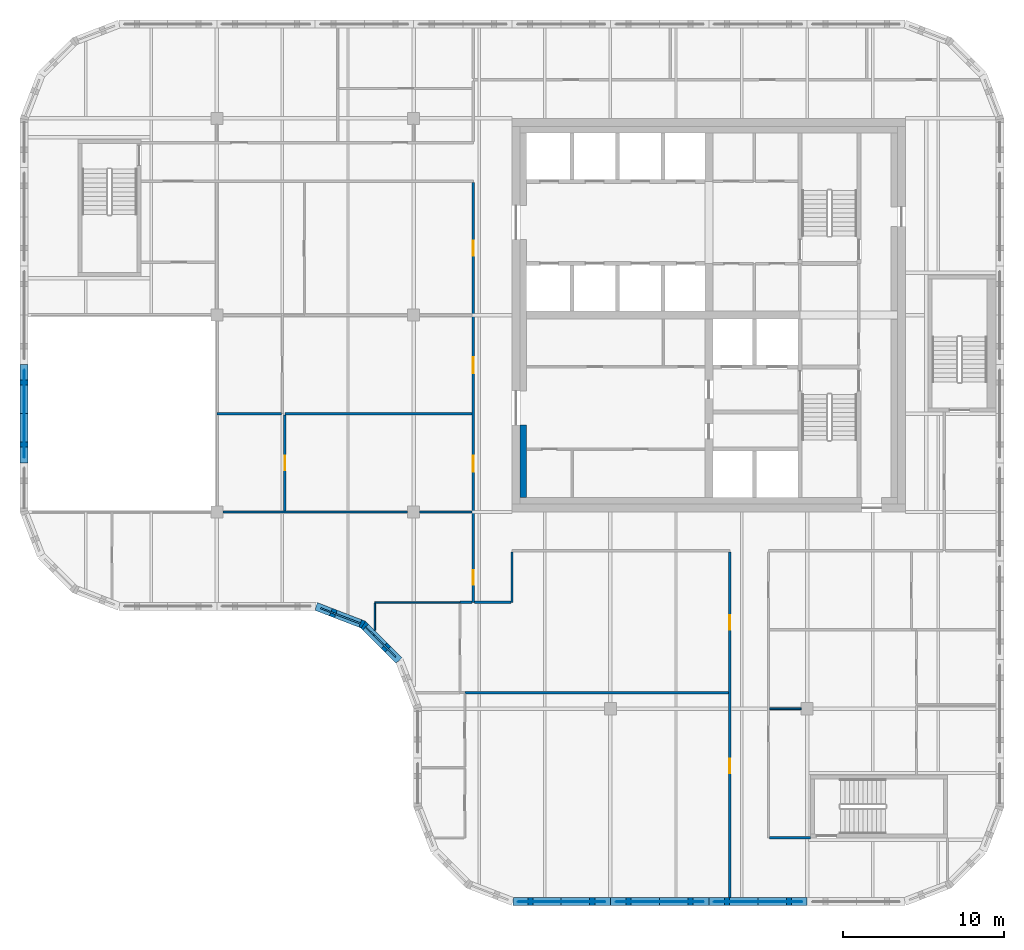
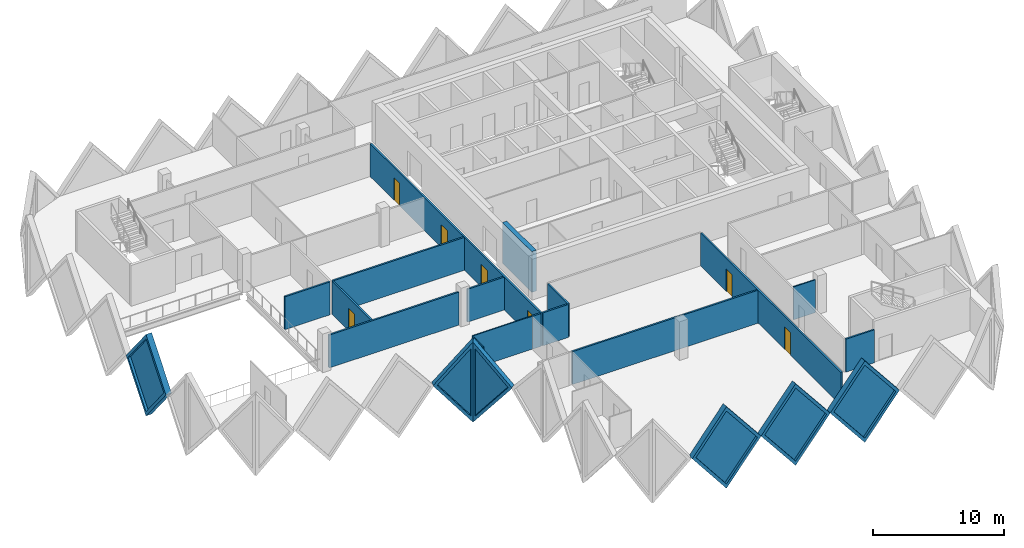
# One storey, part 4 of 12: 22 walls, 7 doors, 6 plates, 13 openings.
"""IFC4 building model written with IfcOpenShell, lengths in metres."""

from ifc_helpers import new_model, si_unit, direction, frame, frame_2d, origin, place, context, subcontext, project, spatial, polyline, rectangle, outline, extrude, faceted_brep, source, transform, mapped, material, layer, layer_set, type_object, element, fill, save


model = new_model("IFC4")

# Units and contexts
model_context = context("Model", 3, precision=1e-05, world=origin(), true_north=direction((0.0, 1.0)))
body_context = subcontext(model_context, "Body", "Model", "MODEL_VIEW")
ifc_project = project(units=[si_unit("LENGTHUNIT", "METRE"), si_unit("AREAUNIT", "SQUARE_METRE"), si_unit("VOLUMEUNIT", "CUBIC_METRE"), si_unit("PLANEANGLEUNIT", "RADIAN"), si_unit("MASSUNIT", "GRAM", prefix="KILO")], contexts=[model_context])

# Site, building, storey
site_placement = place(None, origin())
site = spatial("IfcSite", under=ifc_project, at=site_placement, CompositionType="ELEMENT")
building_placement = place(site_placement, origin())
building = spatial("IfcBuilding", under=site, at=building_placement, Name="Tessera Gate Towers", CompositionType="ELEMENT")
storey_placement = place(building_placement, frame((0.0, 0.0, 209.300048828125)))
storey = spatial("IfcBuildingStorey", under=building, at=storey_placement, Name="L52", CompositionType="ELEMENT", Elevation=209.300048828125)

# Wall
ifc_material_1 = material(Name="Concrete C50/60", Category="concrete")
ifc_layer_1 = layer(ifc_material_1, 0.39990234375)
ifc_layer_set_1 = layer_set([ifc_layer_1], Name="CORE WALL THICKENING 400")
wall_type_1 = type_object("IfcWallType", Name="CORE WALL THICKENING 400", PredefinedType="SOLIDWALL", material=ifc_layer_set_1)
wall_1_placement = place(storey_placement, frame((31.199951171875, 25.300048828125, 0.0), z_axis=(0.0, 0.0, 1.0), x_axis=(0.0, 1.0, 0.0)))
element("IfcWall", 1, at=wall_1_placement, inside=storey, type_object=wall_type_1, Name="Core wall thickening W L52", PredefinedType="SOLIDWALL", context=body_context, shape_type="SweptSolid", body=[
    extrude(rectangle(XDim=4.5, YDim=0.39990234375, at=frame_2d((2.25, 0.0))), origin(), (0.0, 0.0, 1.0), 3.800048828125),
])

# Wall, openings, doors
ifc_material_2 = material(Name="Gypsum board on steel studs, mineral wool", Category="steel")
ifc_layer_2 = layer(ifc_material_2, 0.14990234375)
ifc_layer_set_2 = layer_set([ifc_layer_2], Name="CORRIDOR WALL 150")
wall_type_2 = type_object("IfcWallType", Name="CORRIDOR WALL 150", PredefinedType="PARTITIONING", material=ifc_layer_set_2)
wall_2_placement = place(storey_placement, frame((44.0, 0.5, 0.0), z_axis=(0.0, 0.0, 1.0), x_axis=(0.0, 1.0, 0.0)))
wall_2 = element("IfcWall", 2, at=wall_2_placement, inside=storey, type_object=wall_type_2, Name="T1-L52-PW-001", PredefinedType="PARTITIONING", context=body_context, shape_type="SweptSolid", body=[
    extrude(rectangle(XDim=21.424072265625, YDim=0.14990234375, at=frame_2d((10.7119140625, 0.0))), origin(), (0.0, 0.0, 1.0), 3.06689453125),
])
shared_shape_1 = source(origin(), body_context, "Body", "SweptSolid", [
    extrude(rectangle(XDim=0.89990234375, YDim=2.10009765625, at=frame_2d((0.449951171875, 1.050048828125))), frame((0.0, 0.0849609375, 0.0), z_axis=(0.0, -1.0, 0.0), x_axis=(1.0, 0.0, 0.0)), (0.0, 0.0, 1.0), 0.169921875),
])
opening_1_placement = place(wall_2_placement, frame((16.60107421875, 0.0, 0.0)))
opening_1 = element("IfcOpeningElement", 3, at=opening_1_placement, cuts=wall_2, Name="Opening D890FD60-A19-07", PredefinedType="OPENING", context=body_context, shape_type="MappedRepresentation", body=[
    mapped(shared_shape_1, transform((0.0, 0.0, 0.0), scale=1.0)),
])
opening_2_placement = place(wall_2_placement, frame((7.699951171875, 0.0, 0.0)))
opening_2 = element("IfcOpeningElement", 4, at=opening_2_placement, cuts=wall_2, Name="Opening D890FD60-A19-08", PredefinedType="OPENING", context=body_context, shape_type="MappedRepresentation", body=[
    mapped(shared_shape_1, transform((0.0, 0.0, 0.0), scale=1.0)),
])
ifc_material_3 = material(Name="Timber door leaf in steel frame", Category="steel")
door_type_1 = type_object("IfcDoorType", Name="CORRIDOR DOOR 900 FD60", OperationType="NOTDEFINED", PredefinedType="DOOR", material=ifc_material_3)
shared_shape_2 = source(origin(), body_context, "Body", "SweptSolid", [
    extrude(rectangle(XDim=0.89990234375, YDim=2.10009765625, at=frame_2d((0.449951171875, 1.050048828125))), frame((0.0, 0.02490234375, 0.0), z_axis=(0.0, -1.0, 0.0), x_axis=(1.0, 0.0, 0.0)), (0.0, 0.0, 1.0), 0.050048828125),
])
door_1_placement = place(opening_1_placement, origin())
door_1 = element("IfcDoor", 5, at=door_1_placement, inside=storey, type_object=door_type_1, Name="T1-L52-PD-022", OperationType="SINGLE_SWING_LEFT", OverallHeight=2.10009765625, OverallWidth=0.89990234375, PredefinedType="DOOR", context=body_context, shape_type="MappedRepresentation", body=[
    mapped(shared_shape_2, transform((0.0, 0.0, 0.0), scale=1.0)),
])
fill(opening_1, door_1)
door_2_placement = place(opening_2_placement, origin())
door_2 = element("IfcDoor", 6, at=door_2_placement, inside=storey, type_object=door_type_1, Name="T1-L52-PD-023", OperationType="SINGLE_SWING_LEFT", OverallHeight=2.10009765625, OverallWidth=0.89990234375, PredefinedType="DOOR", context=body_context, shape_type="MappedRepresentation", body=[
    mapped(shared_shape_2, transform((0.0, 0.0, 0.0), scale=1.0)),
])
fill(opening_2, door_2)

# Wall
wall_3_placement = place(storey_placement, frame((46.47607421875, 4.199951171875, 0.0), z_axis=(0.0, 0.0, 1.0), x_axis=(1.0, 0.0, 0.0)))
element("IfcWall", 7, at=wall_3_placement, inside=storey, type_object=wall_type_2, Name="T1-L52-PW-006", PredefinedType="PARTITIONING", context=body_context, shape_type="SweptSolid", body=[
    extrude(rectangle(XDim=2.52392578125, YDim=0.14990234375, at=frame_2d((1.261962890625, 0.0))), origin(), (0.0, 0.0, 1.0), 3.06689453125),
])

# Wall, openings, doors
wall_4_placement = place(storey_placement, frame((28.10009765625, 18.800048828125, 0.0), z_axis=(0.0, 0.0, 1.0), x_axis=(0.0, 1.0, 0.0)))
wall_4 = element("IfcWall", 8, at=wall_4_placement, inside=storey, type_object=wall_type_2, Name="T1-L52-PW-024", PredefinedType="PARTITIONING", context=body_context, shape_type="SweptSolid", body=[
    extrude(rectangle(XDim=26.02392578125, YDim=0.14990234375, at=frame_2d((13.011962890625, 0.0))), origin(), (0.0, 0.0, 1.0), 3.06689453125),
])
opening_3_placement = place(wall_4_placement, frame((1.10009765625, 0.0, 0.0)))
opening_3 = element("IfcOpeningElement", 9, at=opening_3_placement, cuts=wall_4, Name="Opening D890FD60-A19-01", PredefinedType="OPENING", context=body_context, shape_type="MappedRepresentation", body=[
    mapped(shared_shape_1, transform((0.0, 0.0, 0.0), scale=1.0)),
])
shared_shape_3 = source(origin(), body_context, "Body", "SweptSolid", [
    extrude(rectangle(XDim=1.0, YDim=2.10009765625, at=frame_2d((0.5, 1.050048828125))), frame((0.0, 0.0849609375, 0.0), z_axis=(0.0, -1.0, 0.0), x_axis=(1.0, 0.0, 0.0)), (0.0, 0.0, 1.0), 0.169921875),
])
opening_4_placement = place(wall_4_placement, frame((14.200927734375, 0.0, 0.0)))
opening_4 = element("IfcOpeningElement", 10, at=opening_4_placement, cuts=wall_4, Name="Opening D2100FD60-A19-01", PredefinedType="OPENING", context=body_context, shape_type="MappedRepresentation", body=[
    mapped(shared_shape_3, transform((0.0, 0.0, 0.0), scale=1.0)),
])
opening_5_placement = place(wall_4_placement, frame((8.10009765625, 0.0, 0.0)))
opening_5 = element("IfcOpeningElement", 11, at=opening_5_placement, cuts=wall_4, Name="Opening D2100FD60-A19-02", PredefinedType="OPENING", context=body_context, shape_type="MappedRepresentation", body=[
    mapped(shared_shape_3, transform((0.0, 0.0, 0.0), scale=1.0)),
])
opening_6_placement = place(wall_4_placement, frame((21.5, 0.0, 0.0)))
opening_6 = element("IfcOpeningElement", 12, at=opening_6_placement, cuts=wall_4, Name="Opening D890FD60-A19-04", PredefinedType="OPENING", context=body_context, shape_type="MappedRepresentation", body=[
    mapped(shared_shape_1, transform((0.0, 0.0, 0.0), scale=1.0)),
])
door_3_placement = place(opening_3_placement, origin())
door_3 = element("IfcDoor", 13, at=door_3_placement, inside=storey, type_object=door_type_1, Name="T1-L52-PD-001", OperationType="SINGLE_SWING_LEFT", OverallHeight=2.10009765625, OverallWidth=0.89990234375, PredefinedType="DOOR", context=body_context, shape_type="MappedRepresentation", body=[
    mapped(shared_shape_2, transform((0.0, 0.0, 0.0), scale=1.0)),
])
fill(opening_3, door_3)
door_4_placement = place(opening_6_placement, origin())
door_4 = element("IfcDoor", 14, at=door_4_placement, inside=storey, type_object=door_type_1, Name="T1-L52-PD-018", OperationType="SINGLE_SWING_LEFT", OverallHeight=2.10009765625, OverallWidth=0.89990234375, PredefinedType="DOOR", context=body_context, shape_type="MappedRepresentation", body=[
    mapped(shared_shape_2, transform((0.0, 0.0, 0.0), scale=1.0)),
])
fill(opening_6, door_4)
ifc_material_4 = material(Name="Timber door leaf in steel frame", Category="steel")
door_type_2 = type_object("IfcDoorType", Name="TENANCY ENTRANCE DOOR 1000 FD60", OperationType="NOTDEFINED", PredefinedType="DOOR", material=ifc_material_4)
shared_shape_4 = source(origin(), body_context, "Body", "SweptSolid", [
    extrude(rectangle(XDim=1.0, YDim=2.10009765625, at=frame_2d((0.5, 1.050048828125))), frame((0.0, 0.02490234375, 0.0), z_axis=(0.0, -1.0, 0.0), x_axis=(1.0, 0.0, 0.0)), (0.0, 0.0, 1.0), 0.050048828125),
])
door_5_placement = place(opening_4_placement, origin())
door_5 = element("IfcDoor", 15, at=door_5_placement, inside=storey, type_object=door_type_2, Name="T1-L52-PD-012", OperationType="SINGLE_SWING_LEFT", OverallHeight=2.10009765625, OverallWidth=1.0, PredefinedType="DOOR", context=body_context, shape_type="MappedRepresentation", body=[
    mapped(shared_shape_4, transform((0.0, 0.0, 0.0), scale=1.0)),
])
fill(opening_4, door_5)
door_6_placement = place(opening_5_placement, origin())
door_6 = element("IfcDoor", 16, at=door_6_placement, inside=storey, type_object=door_type_2, Name="T1-L52-PD-013", OperationType="SINGLE_SWING_LEFT", OverallHeight=2.10009765625, OverallWidth=1.0, PredefinedType="DOOR", context=body_context, shape_type="MappedRepresentation", body=[
    mapped(shared_shape_4, transform((0.0, 0.0, 0.0), scale=1.0)),
])
fill(opening_5, door_6)

# Walls
wall_5_placement = place(storey_placement, frame((28.176025390625, 18.800048828125, 0.0), z_axis=(0.0, 0.0, 1.0), x_axis=(1.0, 0.0, 0.0)))
element("IfcWall", 17, at=wall_5_placement, inside=storey, type_object=wall_type_2, Name="T1-L52-PW-025", PredefinedType="PARTITIONING", context=body_context, shape_type="SweptSolid", body=[
    extrude(rectangle(XDim=2.248046875, YDim=0.14990234375, at=frame_2d((1.1240234375, 0.0))), origin(), (0.0, 0.0, 1.0), 3.06689453125),
])
wall_6_placement = place(storey_placement, frame((30.5, 18.800048828125, 0.0), z_axis=(0.0, 0.0, 1.0), x_axis=(0.0, 1.0, 0.0)))
element("IfcWall", 18, at=wall_6_placement, inside=storey, type_object=wall_type_2, Name="T1-L52-PW-026", PredefinedType="PARTITIONING", context=body_context, shape_type="SweptSolid", body=[
    extrude(rectangle(XDim=3.1240234375, YDim=0.14990234375, at=frame_2d((1.56201171875, 0.0))), origin(), (0.0, 0.0, 1.0), 3.06689453125),
])
ifc_material_5 = material(Name="Glass", Category="glass")
ifc_layer_3 = layer(ifc_material_5, 0.10009765625)
ifc_layer_set_3 = layer_set([ifc_layer_3], Name="GLAZED PARTITION 100")
wall_type_3 = type_object("IfcWallType", Name="GLAZED PARTITION 100", PredefinedType="PARTITIONING", material=ifc_layer_set_3)
wall_7_placement = place(storey_placement, frame((22.0, 17.054931640625, 0.0), z_axis=(0.0, 0.0, 1.0), x_axis=(0.0, 1.0, 0.0)))
element("IfcWall", 19, at=wall_7_placement, inside=storey, type_object=wall_type_3, Name="T1-L52-PW-017", PredefinedType="PARTITIONING", context=body_context, shape_type="SweptSolid", body=[
    extrude(rectangle(XDim=1.694091796875, YDim=0.10009765625, at=frame_2d((0.84716796875, 0.0))), origin(), (0.0, 0.0, 1.0), 3.06689453125),
])
wall_8_placement = place(storey_placement, frame((22.0, 18.800048828125, 0.0), z_axis=(0.0, 0.0, 1.0), x_axis=(1.0, 0.0, 0.0)))
element("IfcWall", 20, at=wall_8_placement, inside=storey, type_object=wall_type_3, Name="T1-L52-PW-022", PredefinedType="PARTITIONING", context=body_context, shape_type="SweptSolid", body=[
    extrude(rectangle(XDim=5.27392578125, YDim=0.10009765625, at=frame_2d((2.636962890625, 0.0))), origin(), (0.0, 0.0, 1.0), 3.06689453125),
])
ifc_material_6 = material(Name="Gypsum board on steel studs", Category="steel")
ifc_layer_4 = layer(ifc_material_6, 0.10009765625)
ifc_layer_set_4 = layer_set([ifc_layer_4], Name="PARTITION 100")
wall_type_4 = type_object("IfcWallType", Name="PARTITION 100", PredefinedType="PARTITIONING", material=ifc_layer_set_4)
wall_9_placement = place(storey_placement, frame((48.425048828125, 12.199951171875, 0.0), z_axis=(0.0, 0.0, 1.0), x_axis=(-1.0, 0.0, 0.0)))
element("IfcWall", 21, at=wall_9_placement, inside=storey, type_object=wall_type_4, Name="T1-L52-PW-010", PredefinedType="PARTITIONING", context=body_context, shape_type="SweptSolid", body=[
    extrude(rectangle(XDim=1.949951171875, YDim=0.10009765625, at=frame_2d((0.97509765625, 0.0))), origin(), (0.0, 0.0, 1.0), 3.06689453125),
])
ifc_material_7 = material(Name="Gypsum board on steel studs, mineral wool", Category="steel")
ifc_layer_5 = layer(ifc_material_7, 0.14990234375)
ifc_layer_set_5 = layer_set([ifc_layer_5], Name="TENANCY WALL 150")
wall_type_5 = type_object("IfcWallType", Name="TENANCY WALL 150", PredefinedType="PARTITIONING", material=ifc_layer_set_5)
wall_10_placement = place(storey_placement, frame((27.574951171875, 13.199951171875, 0.0), z_axis=(0.0, 0.0, 1.0), x_axis=(1.0, 0.0, 0.0)))
element("IfcWall", 22, at=wall_10_placement, inside=storey, type_object=wall_type_5, Name="T1-L52-PW-015", PredefinedType="PARTITIONING", context=body_context, shape_type="SweptSolid", body=[
    extrude(rectangle(XDim=16.34912109375, YDim=0.14990234375, at=frame_2d((8.174560546875, 0.0))), origin(), (0.0, 0.0, 1.0), 3.06689453125),
])
wall_11_placement = place(storey_placement, frame((27.27490234375, 18.800048828125, 0.0), z_axis=(0.0, 0.0, 1.0), x_axis=(1.0, 0.0, 0.0)))
element("IfcWall", 23, at=wall_11_placement, inside=storey, type_object=wall_type_5, Name="T1-L52-PW-023", PredefinedType="PARTITIONING", context=body_context, shape_type="SweptSolid", body=[
    extrude(rectangle(XDim=0.7490234375, YDim=0.14990234375, at=frame_2d((0.37451171875, 0.0))), origin(), (0.0, 0.0, 1.0), 3.06689453125),
])
wall_12_placement = place(storey_placement, frame((12.575927734375, 24.39990234375, 0.0), z_axis=(0.0, 0.0, 1.0), x_axis=(1.0, 0.0, 0.0)))
element("IfcWall", 24, at=wall_12_placement, inside=storey, type_object=wall_type_5, Name="T1-L52-PW-032", PredefinedType="PARTITIONING", context=body_context, shape_type="SweptSolid", body=[
    extrude(rectangle(XDim=11.447998046875, YDim=0.14990234375, at=frame_2d((5.72412109375, 0.0))), origin(), (0.0, 0.0, 1.0), 3.06689453125),
])
wall_13_placement = place(storey_placement, frame((24.77587890625, 24.39990234375, 0.0), z_axis=(0.0, 0.0, 1.0), x_axis=(1.0, 0.0, 0.0)))
element("IfcWall", 25, at=wall_13_placement, inside=storey, type_object=wall_type_5, Name="T1-L52-PW-033", PredefinedType="PARTITIONING", context=body_context, shape_type="SweptSolid", body=[
    extrude(rectangle(XDim=3.248046875, YDim=0.14990234375, at=frame_2d((1.6240234375, 0.0))), origin(), (0.0, 0.0, 1.0), 3.06689453125),
])

# Wall, opening, door
wall_14_placement = place(storey_placement, frame((16.425048828125, 24.47607421875, 0.0), z_axis=(0.0, 0.0, 1.0), x_axis=(0.0, 1.0, 0.0)))
wall_14 = element("IfcWall", 26, at=wall_14_placement, inside=storey, type_object=wall_type_5, Name="T1-L52-PW-034", PredefinedType="PARTITIONING", context=body_context, shape_type="SweptSolid", body=[
    extrude(rectangle(XDim=5.947998046875, YDim=0.14990234375, at=frame_2d((2.97412109375, 0.0))), origin(), (0.0, 0.0, 1.0), 3.06689453125),
])
opening_7_placement = place(wall_14_placement, frame((2.5, 0.0, 0.0)))
opening_7 = element("IfcOpeningElement", 27, at=opening_7_placement, cuts=wall_14, Name="Opening D190-A19-04", PredefinedType="OPENING", context=body_context, shape_type="MappedRepresentation", body=[
    mapped(shared_shape_1, transform((0.0, 0.0, 0.0), scale=1.0)),
])
ifc_material_8 = material(Name="Timber door leaf in steel frame", Category="steel")
door_type_3 = type_object("IfcDoorType", Name="INTERNAL DOOR 900 NOT RATED", OperationType="NOTDEFINED", PredefinedType="DOOR", material=ifc_material_8)
door_7_placement = place(opening_7_placement, origin())
door_7 = element("IfcDoor", 28, at=door_7_placement, inside=storey, type_object=door_type_3, Name="T1-L52-PD-011", OperationType="SINGLE_SWING_LEFT", OverallHeight=2.10009765625, OverallWidth=0.89990234375, PredefinedType="DOOR", context=body_context, shape_type="MappedRepresentation", body=[
    mapped(shared_shape_2, transform((0.0, 0.0, 0.0), scale=1.0)),
])
fill(opening_7, door_7)

# Walls
wall_15_placement = place(storey_placement, frame((12.199951171875, 30.5, 0.0), z_axis=(0.0, 0.0, 1.0), x_axis=(1.0, 0.0, 0.0)))
element("IfcWall", 29, at=wall_15_placement, inside=storey, type_object=wall_type_5, Name="T1-L52-PW-035", PredefinedType="PARTITIONING", context=body_context, shape_type="SweptSolid", body=[
    extrude(rectangle(XDim=3.9990234375, YDim=0.14990234375, at=frame_2d((1.99951171875, 0.0))), origin(), (0.0, 0.0, 1.0), 3.06689453125),
])
wall_16_placement = place(storey_placement, frame((16.425048828125, 30.5, 0.0), z_axis=(0.0, 0.0, 1.0), x_axis=(1.0, 0.0, 0.0)))
element("IfcWall", 30, at=wall_16_placement, inside=storey, type_object=wall_type_5, Name="T1-L52-PW-037", PredefinedType="PARTITIONING", context=body_context, shape_type="SweptSolid", body=[
    extrude(rectangle(XDim=11.598876953125, YDim=0.14990234375, at=frame_2d((5.79931640625, 0.0))), origin(), (0.0, 0.0, 1.0), 3.06689453125),
])

# Wall, opening, plate
ifc_material_9 = material(Name="Precast concrete C60/75 white", Category="concrete")
ifc_layer_6 = layer(ifc_material_9, 0.5)
ifc_layer_set_6 = layer_set([ifc_layer_6], Name="TS1 tessera")
wall_type_6 = type_object("IfcWallType", Name="TS1 tessera", PredefinedType="SOLIDWALL", material=ifc_layer_set_6)
shared_shape_5 = source(origin(), body_context, "Body", "Brep", [
    faceted_brep([(3.00341796875, -0.25, 0.0), (6.053466796875, -0.25, 3.800048828125), (3.00341796875, -0.25, 7.60009765625), (0.0, -0.25, 3.800048828125), (0.046630859375, 0.25, 3.85888671875), (3.00341796875, 0.25, 7.60009765625), (6.053466796875, 0.25, 3.800048828125), (3.00341796875, 0.25, 0.0), (0.046630859375, 0.25, 3.7412109375), (0.0, 0.0, 3.800048828125)], [[[0, 1, 2, 3]], [[4, 5, 6, 7, 8]], [[7, 6, 1, 0]], [[6, 5, 2, 1]], [[5, 4, 9, 3, 2]], [[8, 7, 0, 3, 9]], [[8, 9, 4]]]),
])
wall_17_placement = place(storey_placement, frame((30.546630859375, 0.25, -3.800048828125), z_axis=(0.0, 0.0, 1.0), x_axis=(1.0, 0.0, 0.0)))
wall_17 = element("IfcWall", 31, at=wall_17_placement, inside=storey, type_object=wall_type_6, Name="Precast tessera T1 TS1-0897", PredefinedType="SOLIDWALL", context=body_context, shape_type="MappedRepresentation", body=[
    mapped(shared_shape_5, transform((0.0, 0.0, 0.0), scale=1.0)),
])
shared_shape_6 = source(origin(), body_context, "Body", "SweptSolid", [
    extrude(outline(polyline([(3.0048828125, 0.4013671875), (5.73291015625, 3.800048828125), (3.0048828125, 7.19873046875), (0.318603515625, 3.800048828125), (3.0048828125, 0.4013671875)])), frame((0.0, 0.260009765625, 0.0), z_axis=(0.0, -1.0, 0.0), x_axis=(1.0, 0.0, 0.0)), (0.0, 0.0, 1.0), 0.52001953125),
])
opening_8_placement = place(wall_17_placement, origin())
opening_8 = element("IfcOpeningElement", 32, at=opening_8_placement, cuts=wall_17, Name="Opening T1-PL2-1833", PredefinedType="OPENING", context=body_context, shape_type="MappedRepresentation", body=[
    mapped(shared_shape_6, transform((0.0, 0.0, 0.0), scale=1.0)),
])
ifc_material_10 = material(Name="Low-e laminated glass", Category="glass")
ifc_layer_7 = layer(ifc_material_10, 0.06005859375)
ifc_layer_set_7 = layer_set([ifc_layer_7], Name="PL2 rhombic pane")
plate_type = type_object("IfcPlateType", Name="PL2 rhombic pane", PredefinedType="SHEET", material=ifc_layer_set_7)
shared_shape_7 = source(origin(), body_context, "Body", "SweptSolid", [
    extrude(outline(polyline([(3.0048828125, 0.4013671875), (5.73291015625, 3.800048828125), (3.0048828125, 7.19873046875), (0.318603515625, 3.800048828125), (3.0048828125, 0.4013671875)])), frame((0.0, 0.030029296875, 0.0), z_axis=(0.0, -1.0, 0.0), x_axis=(1.0, 0.0, 0.0)), (0.0, 0.0, 1.0), 0.06005859375),
])
plate_1_placement = place(opening_8_placement, origin())
plate_1 = element("IfcPlate", 33, at=plate_1_placement, inside=storey, type_object=plate_type, Name="Glass pane T1 PL2-1833", PredefinedType="SHEET", context=body_context, shape_type="MappedRepresentation", body=[
    mapped(shared_shape_7, transform((0.0, 0.0, 0.0), scale=1.0)),
])
fill(opening_8, plate_1)

shared_shape_8 = source(origin(), body_context, "Body", "Brep", [
    faceted_brep([(3.050048828125, -0.25, 0.0), (6.099853515625, -0.25, 3.7998046875), (6.099853515625, -0.25, 3.80029296875), (3.050048828125, -0.25, 7.60009765625), (0.0, -0.25, 3.800048828125), (0.0, 0.25, 3.800048828125), (3.050048828125, 0.25, 7.60009765625), (6.099853515625, 0.25, 3.80029296875), (6.099853515625, 0.25, 3.7998046875), (3.050048828125, 0.25, 0.0)], [[[0, 1, 2, 3, 4]], [[5, 6, 7, 8, 9]], [[9, 8, 1, 0]], [[7, 6, 3, 2]], [[6, 5, 4, 3]], [[5, 9, 0, 4]], [[1, 8, 7, 2]]]),
])
wall_18_placement = place(storey_placement, frame((36.60009765625, 0.25, -3.800048828125), z_axis=(0.0, 0.0, 1.0), x_axis=(1.0, 0.0, 0.0)))
wall_18 = element("IfcWall", 34, at=wall_18_placement, inside=storey, type_object=wall_type_6, Name="Precast tessera T1 TS1-0898", PredefinedType="SOLIDWALL", context=body_context, shape_type="MappedRepresentation", body=[
    mapped(shared_shape_8, transform((0.0, 0.0, 0.0), scale=1.0)),
])
shared_shape_9 = source(origin(), body_context, "Body", "SweptSolid", [
    extrude(outline(polyline([(3.050048828125, 0.3994140625), (5.779541015625, 3.800048828125), (3.050048828125, 7.20068359375), (0.320556640625, 3.800048828125), (3.050048828125, 0.3994140625)])), frame((0.0, 0.260009765625, 0.0), z_axis=(0.0, -1.0, 0.0), x_axis=(1.0, 0.0, 0.0)), (0.0, 0.0, 1.0), 0.52001953125),
])
opening_9_placement = place(wall_18_placement, origin())
opening_9 = element("IfcOpeningElement", 35, at=opening_9_placement, cuts=wall_18, Name="Opening T1-PL2-1834", PredefinedType="OPENING", context=body_context, shape_type="MappedRepresentation", body=[
    mapped(shared_shape_9, transform((0.0, 0.0, 0.0), scale=1.0)),
])
shared_shape_10 = source(origin(), body_context, "Body", "SweptSolid", [
    extrude(outline(polyline([(3.050048828125, 0.3994140625), (5.779541015625, 3.800048828125), (3.050048828125, 7.20068359375), (0.320556640625, 3.800048828125), (3.050048828125, 0.3994140625)])), frame((0.0, 0.030029296875, 0.0), z_axis=(0.0, -1.0, 0.0), x_axis=(1.0, 0.0, 0.0)), (0.0, 0.0, 1.0), 0.06005859375),
])
plate_2_placement = place(opening_9_placement, origin())
plate_2 = element("IfcPlate", 36, at=plate_2_placement, inside=storey, type_object=plate_type, Name="Glass pane T1 PL2-1834", PredefinedType="SHEET", context=body_context, shape_type="MappedRepresentation", body=[
    mapped(shared_shape_10, transform((0.0, 0.0, 0.0), scale=1.0)),
])
fill(opening_9, plate_2)

shared_shape_11 = source(origin(), body_context, "Body", "SweptSolid", [
    extrude(outline(polyline([(3.050048828125, 0.0), (6.10009765625, 3.800048828125), (3.050048828125, 7.60009765625), (0.0, 3.800048828125), (3.050048828125, 0.0)])), frame((0.0, 0.25, 0.0), z_axis=(0.0, -1.0, 0.0), x_axis=(1.0, 0.0, 0.0)), (0.0, 0.0, 1.0), 0.5),
])
wall_19_placement = place(storey_placement, frame((42.699951171875, 0.25, -3.800048828125), z_axis=(0.0, 0.0, 1.0), x_axis=(1.0, 0.0, 0.0)))
wall_19 = element("IfcWall", 37, at=wall_19_placement, inside=storey, type_object=wall_type_6, Name="Precast tessera T1 TS1-0899", PredefinedType="SOLIDWALL", context=body_context, shape_type="MappedRepresentation", body=[
    mapped(shared_shape_11, transform((0.0, 0.0, 0.0), scale=1.0)),
])
opening_10_placement = place(wall_19_placement, origin())
opening_10 = element("IfcOpeningElement", 38, at=opening_10_placement, cuts=wall_19, Name="Opening T1-PL2-1835", PredefinedType="OPENING", context=body_context, shape_type="MappedRepresentation", body=[
    mapped(shared_shape_9, transform((0.0, 0.0, 0.0), scale=1.0)),
])
plate_3_placement = place(opening_10_placement, origin())
plate_3 = element("IfcPlate", 39, at=plate_3_placement, inside=storey, type_object=plate_type, Name="Glass pane T1 PL2-1835", PredefinedType="SHEET", context=body_context, shape_type="MappedRepresentation", body=[
    mapped(shared_shape_10, transform((0.0, 0.0, 0.0), scale=1.0)),
])
fill(opening_10, plate_3)

wall_20_placement = place(storey_placement, frame((0.25, 33.550048828125, -3.800048828125), z_axis=(0.0, 0.0, 1.0), x_axis=(0.0, -1.0, 0.0)))
wall_20 = element("IfcWall", 40, at=wall_20_placement, inside=storey, type_object=wall_type_6, Name="Precast tessera T1 TS1-0917", PredefinedType="SOLIDWALL", context=body_context, shape_type="MappedRepresentation", body=[
    mapped(shared_shape_11, transform((0.0, 0.0, 0.0), scale=1.0)),
])
opening_11_placement = place(wall_20_placement, origin())
opening_11 = element("IfcOpeningElement", 41, at=opening_11_placement, cuts=wall_20, Name="Opening T1-PL2-1865", PredefinedType="OPENING", context=body_context, shape_type="MappedRepresentation", body=[
    mapped(shared_shape_9, transform((0.0, 0.0, 0.0), scale=1.0)),
])
plate_4_placement = place(opening_11_placement, origin())
plate_4 = element("IfcPlate", 42, at=plate_4_placement, inside=storey, type_object=plate_type, Name="Glass pane T1 PL2-1865", PredefinedType="SHEET", context=body_context, shape_type="MappedRepresentation", body=[
    mapped(shared_shape_10, transform((0.0, 0.0, 0.0), scale=1.0)),
])
fill(opening_11, plate_4)

ifc_material_11 = material(Name="Precast concrete C60/75 white", Category="concrete")
ifc_layer_8 = layer(ifc_material_11, 0.5)
ifc_layer_set_8 = layer_set([ifc_layer_8], Name="TS3 corner tessera")
wall_type_7 = type_object("IfcWallType", Name="TS3 corner tessera", PredefinedType="SOLIDWALL", material=ifc_layer_set_8)
shared_shape_12 = source(origin(), body_context, "Body", "Brep", [
    faceted_brep([(3.096435546875, -0.25, 7.536376953125), (0.046630859375, -0.25, 3.856201171875), (0.046630859375, -0.25, 3.743896484375), (3.096435546875, -0.25, 0.063720703125), (0.0, 0.25, 3.800048828125), (3.1494140625, 0.25, 7.60009765625), (3.202392578125, 0.25, 7.536376953125), (3.202392578125, 0.25, 0.063720703125), (3.1494140625, 0.25, 0.0), (3.1494140625, -0.000244140625, 0.0), (3.1494140625, -0.000244140625, 7.60009765625), (0.0, 0.0, 3.800048828125)], [[[0, 1, 2, 3]], [[4, 5, 6, 7, 8]], [[8, 7, 9]], [[6, 5, 10]], [[5, 4, 11, 1, 0, 10]], [[4, 8, 9, 3, 2, 11]], [[11, 2, 1]], [[3, 9, 7, 6, 10, 0]]]),
])
wall_21_placement = place(storey_placement, frame((18.346435546875, 18.550048828125, -3.800048828125), z_axis=(0.0, 0.0, 1.0), x_axis=(0.932985567668, -0.359913782069, 0.0)))
wall_21 = element("IfcWall", 43, at=wall_21_placement, inside=storey, type_object=wall_type_7, Name="Precast corner tessera T1 TS3-1217", PredefinedType="SOLIDWALL", context=body_context, shape_type="MappedRepresentation", body=[
    mapped(shared_shape_12, transform((0.0, 0.0, 0.0), scale=1.0)),
])
shared_shape_13 = source(origin(), body_context, "Body", "SweptSolid", [
    extrude(outline(polyline([(2.949462890625, 6.966796875), (0.32470703125, 3.800048828125), (2.949462890625, 0.633056640625), (2.949462890625, 6.966796875)])), frame((0.0, 0.260009765625, 0.0), z_axis=(0.0, -1.0, 0.0), x_axis=(1.0, 0.0, 0.0)), (0.0, 0.0, 1.0), 0.52001953125),
])
opening_12_placement = place(wall_21_placement, origin())
opening_12 = element("IfcOpeningElement", 44, at=opening_12_placement, cuts=wall_21, Name="Opening T1-PL2-1872", PredefinedType="OPENING", context=body_context, shape_type="MappedRepresentation", body=[
    mapped(shared_shape_13, transform((0.0, 0.0, 0.0), scale=1.0)),
])
shared_shape_14 = source(origin(), body_context, "Body", "SweptSolid", [
    extrude(outline(polyline([(2.949462890625, 6.966796875), (0.32470703125, 3.800048828125), (2.949462890625, 0.633056640625), (2.949462890625, 6.966796875)])), frame((0.0, 0.030029296875, 0.0), z_axis=(0.0, -1.0, 0.0), x_axis=(1.0, 0.0, 0.0)), (0.0, 0.0, 1.0), 0.06005859375),
])
plate_5_placement = place(opening_12_placement, origin())
plate_5 = element("IfcPlate", 45, at=plate_5_placement, inside=storey, type_object=plate_type, Name="Glass pane T1 PL2-1872", PredefinedType="SHEET", context=body_context, shape_type="MappedRepresentation", body=[
    mapped(shared_shape_14, transform((0.0, 0.0, 0.0), scale=1.0)),
])
fill(opening_12, plate_5)

shared_shape_15 = source(origin(), body_context, "Body", "Brep", [
    faceted_brep([(0.10595703125, -0.25, 0.063720703125), (3.156005859375, -0.25, 3.736328125), (3.156005859375, -0.25, 3.86376953125), (0.10595703125, -0.25, 7.536376953125), (0.0, 0.25, 7.5361328125), (0.052978515625, 0.25, 7.60009765625), (3.208740234375, 0.25, 3.800048828125), (0.052978515625, 0.25, 0.0), (0.0, 0.25, 0.06396484375), (3.208740234375, -0.00048828125, 3.800048828125), (0.052978515625, 0.0, 0.0), (0.052978515625, 0.0, 7.60009765625)], [[[0, 1, 2, 3]], [[4, 5, 6, 7, 8]], [[7, 6, 9, 1, 0, 10]], [[6, 5, 11, 3, 2, 9]], [[5, 4, 11]], [[8, 7, 10]], [[8, 10, 0, 3, 11, 4]], [[1, 9, 2]]]),
])
wall_22_placement = place(storey_placement, frame((21.24755859375, 17.453857421875, -3.800048828125), z_axis=(0.0, 0.0, 1.0), x_axis=(0.707106781187, -0.707106781187, 0.0)))
wall_22 = element("IfcWall", 46, at=wall_22_placement, inside=storey, type_object=wall_type_7, Name="Precast corner tessera T1 TS3-1218", PredefinedType="SOLIDWALL", context=body_context, shape_type="MappedRepresentation", body=[
    mapped(shared_shape_15, transform((0.0, 0.0, 0.0), scale=1.0)),
])
shared_shape_16 = source(origin(), body_context, "Body", "SweptSolid", [
    extrude(outline(polyline([(0.2529296875, 0.632080078125), (2.8837890625, 3.800048828125), (0.2529296875, 6.9677734375), (0.2529296875, 0.632080078125)])), frame((0.0, 0.260009765625, 0.0), z_axis=(0.0, -1.0, 0.0), x_axis=(1.0, 0.0, 0.0)), (0.0, 0.0, 1.0), 0.52001953125),
])
opening_13_placement = place(wall_22_placement, origin())
opening_13 = element("IfcOpeningElement", 47, at=opening_13_placement, cuts=wall_22, Name="Opening T1-PL2-1873", PredefinedType="OPENING", context=body_context, shape_type="MappedRepresentation", body=[
    mapped(shared_shape_16, transform((0.0, 0.0, 0.0), scale=1.0)),
])
shared_shape_17 = source(origin(), body_context, "Body", "SweptSolid", [
    extrude(outline(polyline([(0.2529296875, 0.632080078125), (2.8837890625, 3.800048828125), (0.2529296875, 6.9677734375), (0.2529296875, 0.632080078125)])), frame((0.0, 0.030029296875, 0.0), z_axis=(0.0, -1.0, 0.0), x_axis=(1.0, 0.0, 0.0)), (0.0, 0.0, 1.0), 0.06005859375),
])
plate_6_placement = place(opening_13_placement, origin())
plate_6 = element("IfcPlate", 48, at=plate_6_placement, inside=storey, type_object=plate_type, Name="Glass pane T1 PL2-1873", PredefinedType="SHEET", context=body_context, shape_type="MappedRepresentation", body=[
    mapped(shared_shape_17, transform((0.0, 0.0, 0.0), scale=1.0)),
])
fill(opening_13, plate_6)

save(model, "model.ifc")
